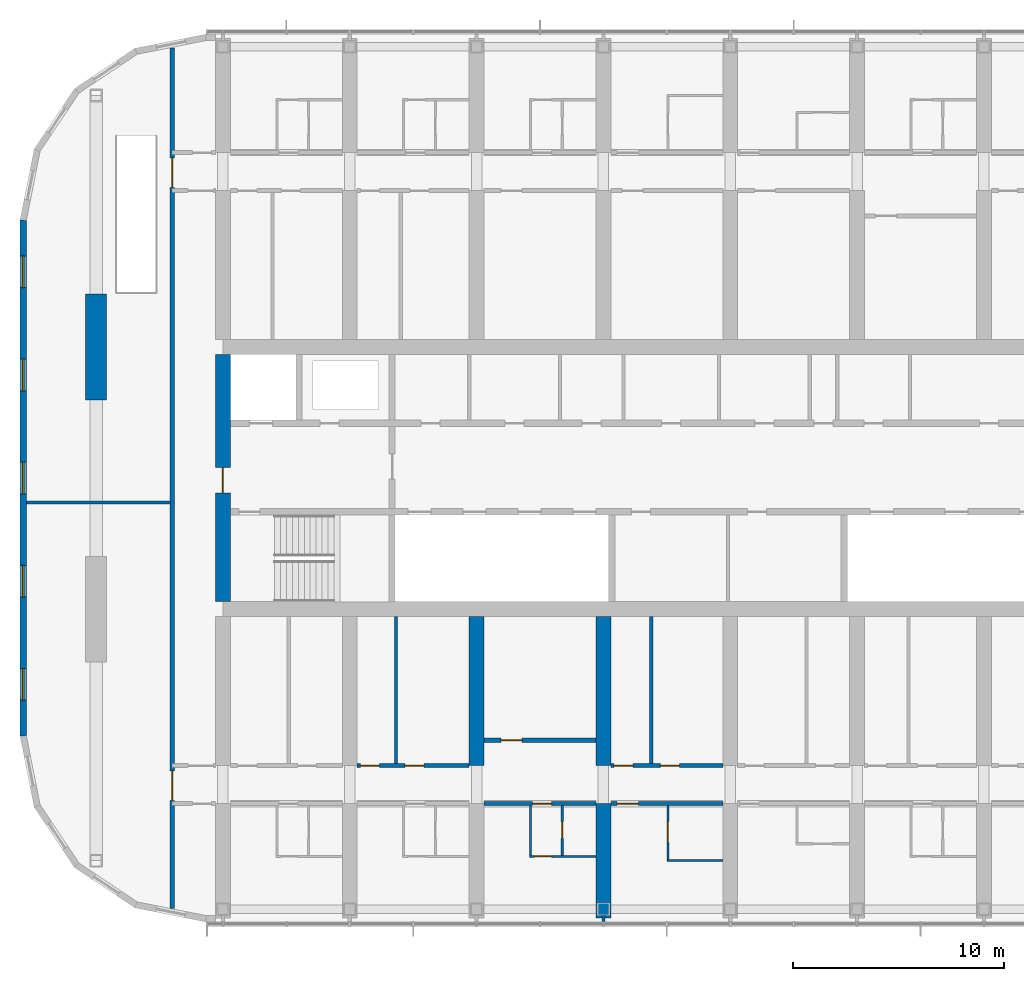
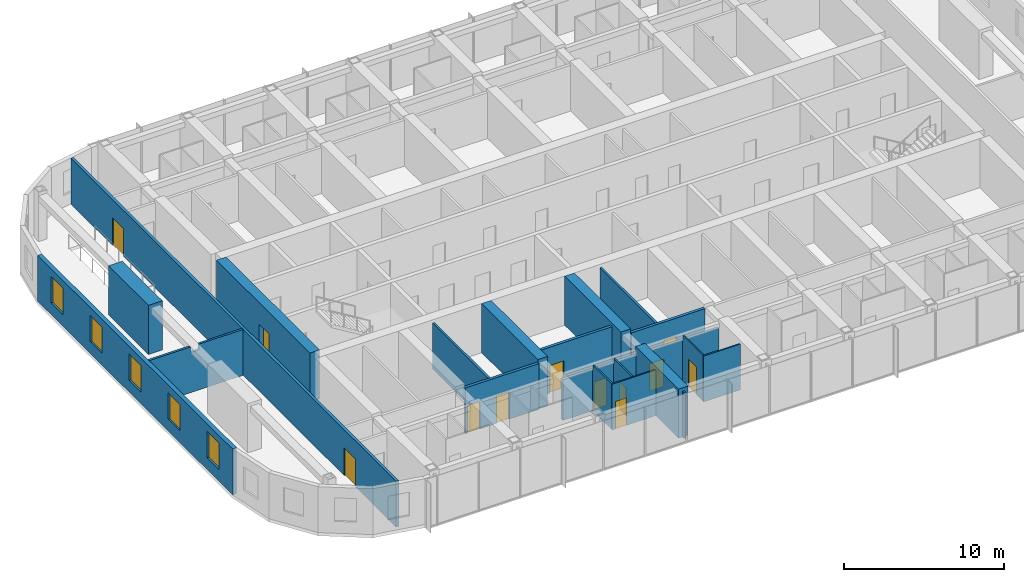
# One storey, part 11 of 23: 21 walls, 13 doors, 5 windows, 18 openings.
"""IFC4 building model written with IfcOpenShell, lengths in metres."""

import ifcopenshell
import ifcopenshell.guid

model = None  # the IFC model being written
_history = None  # IfcOwnerHistory: only IFC2X3 demands one
_inside = {}  # id of a spatial element -> (the spatial element, [elements in it])
_under = {}  # id of a project, library or spatial element -> (it, [spatial elements below it])
_declared = {}  # id of a project -> (the project, [libraries it declares])
_typed = {}  # id of a type object -> (the type object, [elements of that type])
_made_of = {}  # id of a material, layer set ... -> (it, [elements and type objects made of it])


def new_model(schema):
    """Start an empty IFC model of exactly this schema.

    Asked for "IFC4X3", IfcOpenShell would pick the latest addendum, in which some entities
    have other attributes; the version numbers below select the first issue.
    IFC2X3 requires an IfcOwnerHistory on every rooted entity: one is made here for all.
    """
    global model, _history
    if schema == "IFC4X3":
        model = ifcopenshell.file(schema_version=(4, 3, 0, 0))
    else:
        model = ifcopenshell.file(schema=schema)
    _inside.clear()
    _under.clear()
    _declared.clear()
    _typed.clear()
    _made_of.clear()
    _history = None
    if model.schema == "IFC2X3":
        org = make("IfcOrganization", Name="unknown")
        user = make(
            "IfcPersonAndOrganization",
            ThePerson=make("IfcPerson", FamilyName="unknown"),
            TheOrganization=org,
        )
        app = make(
            "IfcApplication",
            ApplicationDeveloper=org,
            Version="unknown",
            ApplicationFullName="unknown",
            ApplicationIdentifier="unknown",
        )
        _history = make(
            "IfcOwnerHistory",
            OwningUser=user,
            OwningApplication=app,
            ChangeAction="ADDED",
            CreationDate=0,
        )
    return model


def make(cls, **values):
    """One entity of the class cls with the attributes given. An attribute that is None is left unset."""
    return model.create_entity(
        cls, **{name: value for name, value in values.items() if value is not None}
    )


def rooted(cls, **values):
    """An entity with a GlobalId (a new one), such as an element, a storey or a relation."""
    return make(cls, GlobalId=ifcopenshell.guid.new(), OwnerHistory=_history, **values)


def si_unit(unit_type, name, prefix=None):
    """IfcSIUnit, for example si_unit("LENGTHUNIT", "METRE", prefix="MILLI")."""
    return make("IfcSIUnit", UnitType=unit_type, Prefix=prefix, Name=name)


def assignment(units):
    """IfcUnitAssignment: the units of a project."""
    return None if units is None else make("IfcUnitAssignment", Units=units)


def point(xyz):
    """IfcCartesianPoint."""
    return None if xyz is None else make("IfcCartesianPoint", Coordinates=xyz)


def direction(xyz):
    """IfcDirection."""
    return None if xyz is None else make("IfcDirection", DirectionRatios=xyz)


def frame(location, z_axis=None, x_axis=None):
    """IfcAxis2Placement3D, a coordinate frame: its origin and axes. An axis left out is left unset."""
    return make(
        "IfcAxis2Placement3D",
        Location=point(location),
        Axis=direction(z_axis),
        RefDirection=direction(x_axis),
    )


def frame_2d(location, x_axis=None):
    """IfcAxis2Placement2D, a coordinate frame in the plane: its origin and x axis."""
    return make(
        "IfcAxis2Placement2D", Location=point(location), RefDirection=direction(x_axis)
    )


def origin():
    """The frame at (0, 0, 0) with its axes left unset."""
    return frame((0.0, 0.0, 0.0))


def place(relative_to, where):
    """IfcLocalPlacement: puts the frame where relative to a parent placement (None: the world)."""
    return make(
        "IfcLocalPlacement", PlacementRelTo=relative_to, RelativePlacement=where
    )


def context(
    kind, dimensions, precision=None, world=None, true_north=None, identifier=None
):
    """IfcGeometricRepresentationContext, for example the 3D "Model" context."""
    return make(
        "IfcGeometricRepresentationContext",
        ContextIdentifier=identifier,
        ContextType=kind,
        CoordinateSpaceDimension=dimensions,
        Precision=precision,
        WorldCoordinateSystem=world,
        TrueNorth=true_north,
    )


def subcontext(parent, identifier, kind, view, scale=None):
    """IfcGeometricRepresentationSubContext, for example "Body" below "Model"."""
    return make(
        "IfcGeometricRepresentationSubContext",
        ContextIdentifier=identifier,
        ContextType=kind,
        ParentContext=parent,
        TargetScale=scale,
        TargetView=view,
    )


def project(units=None, contexts=None):
    """IfcProject with its units and contexts."""
    return rooted(
        "IfcProject",
        Name="project",
        RepresentationContexts=contexts,
        UnitsInContext=assignment(units),
    )


def spatial(cls, under=None, at=None, **own):
    """A site, building, storey or space (cls), placed at a placement, below another one or the project."""
    s = rooted(cls, ObjectPlacement=at, **own)
    if under is not None:
        _under.setdefault(under.id(), (under, []))[1].append(s)
    return s


def polyline(points):
    """IfcPolyline through the points."""
    return make("IfcPolyline", Points=[point(p) for p in points])


def profile(cls, at=None, kind="AREA", **sizes):
    """A parametric profile (cls). Its sizes go by their IFC names, for example OverallWidth=200.0."""
    return make(cls, ProfileType=kind, Position=at, **sizes)


def rectangle(**sizes):
    """IfcRectangleProfileDef."""
    return profile("IfcRectangleProfileDef", **sizes)


def outline(outer, holes=None, kind="AREA"):
    """IfcArbitraryClosedProfileDef: a profile drawn as a closed curve; with holes, ...WithVoids."""
    if holes is None:
        return make("IfcArbitraryClosedProfileDef", ProfileType=kind, OuterCurve=outer)
    return make(
        "IfcArbitraryProfileDefWithVoids",
        ProfileType=kind,
        OuterCurve=outer,
        InnerCurves=holes,
    )


def extrude(swept, where, along, depth):
    """IfcExtrudedAreaSolid: the profile swept, set in the frame where, extruded along a direction by depth."""
    return make(
        "IfcExtrudedAreaSolid",
        SweptArea=swept,
        Position=where,
        ExtrudedDirection=direction(along),
        Depth=depth,
    )


def shape(context_of_items, identifier, shape_type, items):
    """IfcShapeRepresentation: the items that make up one representation, for example the "Body"."""
    return make(
        "IfcShapeRepresentation",
        ContextOfItems=context_of_items,
        RepresentationIdentifier=identifier,
        RepresentationType=shape_type,
        Items=items,
    )


def material(Name=None, Category=None):
    """IfcMaterial."""
    return make("IfcMaterial", Name=Name, Category=Category)


def layer(
    of_material, thickness, ventilated=None, Name=None, Category=None, Priority=None
):
    """IfcMaterialLayer: one layer of a wall or slab, of a material (None: an air gap)."""
    return make(
        "IfcMaterialLayer",
        Material=of_material,
        LayerThickness=thickness,
        IsVentilated=ventilated,
        Name=Name,
        Category=Category,
        Priority=Priority,
    )


def layer_set(layers, Name=None):
    """IfcMaterialLayerSet."""
    return make("IfcMaterialLayerSet", MaterialLayers=layers, LayerSetName=Name)


def made_of(thing, what):
    """Note that an element or type object is made of a material, layer set ...; save() writes the relation."""
    if what is not None:
        _made_of.setdefault(what.id(), (what, []))[1].append(thing)
    return thing


def type_object(cls, material=None, **own):
    """A type object (cls), such as IfcWallType, which elements share."""
    return made_of(rooted(cls, **own), material)


def element(
    cls,
    number,
    at=None,
    inside=None,
    cuts=None,
    type_object=None,
    material=None,
    context=None,
    identifier="Body",
    shape_type=None,
    held_by="IfcProductDefinitionShape",
    body=None,
    shapes=None,
    **own,
):
    """One element of the class cls, such as IfcWall. Its Tag is "e" and its number.

    at: its placement. inside: the storey or other place that contains it. cuts: it is an
    opening in that element (IfcRelVoidsElement). A single representation is given by context,
    identifier, shape_type and body (its items); several are given by shapes. held_by: the class
    of the entity that holds the representations. save() writes the other relations.
    """
    e = rooted(cls, Tag="e%d" % number, ObjectPlacement=at, **own)
    if body is not None:
        shapes = [shape(context, identifier, shape_type, body)]
    if shapes is not None:
        e.Representation = make(held_by, Representations=shapes)
    if inside is not None:
        _inside.setdefault(inside.id(), (inside, []))[1].append(e)
    if cuts is not None:
        rooted(
            "IfcRelVoidsElement", RelatingBuildingElement=cuts, RelatedOpeningElement=e
        )
    if type_object is not None:
        _typed.setdefault(type_object.id(), (type_object, []))[1].append(e)
    return made_of(e, material)


def fill(opening, filler):
    """IfcRelFillsElement: the door or window that sits in an opening."""
    return rooted(
        "IfcRelFillsElement",
        RelatingOpeningElement=opening,
        RelatedBuildingElement=filler,
    )


def aggregate(whole, parts):
    """IfcRelAggregates: a whole, such as a stair, and the parts it consists of."""
    return rooted("IfcRelAggregates", RelatingObject=whole, RelatedObjects=parts)


def save(model, path):
    """Write the relations noted so far, then the file.

    IfcRelAggregates (storeys below a building ...), IfcRelContainedInSpatialStructure (elements
    in a storey), IfcRelDefinesByType, IfcRelAssociatesMaterial and IfcRelDeclares: one each for
    every whole, place, type object, material and project.
    """
    for whole, parts in _under.values():
        aggregate(whole, parts)
    for where, things in _inside.values():
        rooted(
            "IfcRelContainedInSpatialStructure",
            RelatedElements=things,
            RelatingStructure=where,
        )
    for kind, things in _typed.values():
        rooted("IfcRelDefinesByType", RelatedObjects=things, RelatingType=kind)
    for what, things in _made_of.values():
        rooted("IfcRelAssociatesMaterial", RelatedObjects=things, RelatingMaterial=what)
    for by, libraries in _declared.values():
        rooted("IfcRelDeclares", RelatingContext=by, RelatedDefinitions=libraries)
    model.write(path)


model = new_model("IFC4")

# Units and contexts
model_context = context("Model", 3, precision=1e-05, world=origin(), true_north=direction((0.0, 1.0)))
body_context = subcontext(model_context, "Body", "Model", "MODEL_VIEW")
ifc_project = project(units=[si_unit("LENGTHUNIT", "METRE"), si_unit("AREAUNIT", "SQUARE_METRE"), si_unit("VOLUMEUNIT", "CUBIC_METRE"), si_unit("PLANEANGLEUNIT", "RADIAN"), si_unit("MASSUNIT", "GRAM", prefix="KILO")], contexts=[model_context])

# Site, building, storey
site_placement = place(None, origin())
site = spatial("IfcSite", under=ifc_project, at=site_placement, CompositionType="ELEMENT")
building_placement = place(site_placement, origin())
building = spatial("IfcBuilding", under=site, at=building_placement, Name="Orbita Commons", CompositionType="ELEMENT")
storey_placement = place(building_placement, frame((0.0, 0.0, 250.300048828125)))
storey = spatial("IfcBuildingStorey", under=building, at=storey_placement, Name="L62", CompositionType="ELEMENT", Elevation=250.300048828125)

# Wall, opening, door
ifc_material_1 = material(Name="Concrete C50/60", Category="concrete")
ifc_layer_1 = layer(ifc_material_1, 0.699951171875)
ifc_layer_set_1 = layer_set([ifc_layer_1], Name="Concrete C50/60")
wall_type_1 = type_object("IfcWallType", Name="Core wall 700 C50/60", PredefinedType="SHEAR", material=ifc_layer_set_1)
wall_1_placement = place(storey_placement, frame((18.0, 26.14990234375, 0.0), z_axis=(0.0, 0.0, 1.0), x_axis=(0.0, 1.0, 0.0)))
wall_1 = element("IfcWall", 1, at=wall_1_placement, inside=storey, type_object=wall_type_1, Name="Core end wall west L62", PredefinedType="SHEAR", context=body_context, shape_type="SweptSolid", body=[
    extrude(rectangle(XDim=11.7001953125, YDim=0.699951171875, at=frame_2d((5.85009765625, 0.0))), origin(), (0.0, 0.0, 1.0), 3.75),
])
opening_1_placement = place(wall_1_placement, frame((5.14990234375, 0.0, 0.0)))
opening_1 = element("IfcOpeningElement", 2, at=opening_1_placement, cuts=wall_1, Name="Opening D01", PredefinedType="OPENING", context=body_context, shape_type="SweptSolid", body=[
    extrude(rectangle(XDim=1.199951171875, YDim=2.10009765625, at=frame_2d((0.60009765625, 1.050048828125))), frame((0.0, 0.35986328125, 0.0), z_axis=(0.0, -1.0, 0.0), x_axis=(1.0, 0.0, 0.0)), (0.0, 0.0, 1.0), 0.719970703125),
])
ifc_material_2 = material(Name="Steel-faced fire door leaf", Category="steel")
door_type_1 = type_object("IfcDoorType", Name="Fire door 90 min 1200x2100", OperationType="SINGLE_SWING_LEFT", PredefinedType="DOOR", material=ifc_material_2)
door_1_placement = place(opening_1_placement, origin())
door_1 = element("IfcDoor", 3, at=door_1_placement, inside=storey, type_object=door_type_1, Name="Firefighting lobby west door", OperationType="SINGLE_SWING_LEFT", OverallHeight=2.10009765625, OverallWidth=1.199951171875, PredefinedType="DOOR", context=body_context, shape_type="SweptSolid", body=[
    extrude(rectangle(XDim=1.199951171875, YDim=2.10009765625, at=frame_2d((0.60009765625, 1.050048828125))), frame((0.0, 0.02490234375, 0.0), z_axis=(0.0, -1.0, 0.0), x_axis=(1.0, 0.0, 0.0)), (0.0, 0.0, 1.0), 0.050048828125),
])
fill(opening_1, door_1)

ifc_material_3 = material(Name="Concrete blockwork", Category="masonry")
ifc_layer_2 = layer(ifc_material_3, 0.199951171875)
ifc_layer_set_2 = layer_set([ifc_layer_2], Name="Concrete blockwork")
wall_type_2 = type_object("IfcWallType", Name="Corridor wall 200 blockwork", PredefinedType="SOLIDWALL", material=ifc_layer_set_2)
wall_2_placement = place(storey_placement, frame((30.35009765625, 16.60009765625, 0.0), z_axis=(0.0, 0.0, 1.0), x_axis=(1.0, 0.0, 0.0)))
wall_2 = element("IfcWall", 4, at=wall_2_placement, inside=storey, type_object=wall_type_2, Name="Corridor wall 200 blockwork L62", PredefinedType="SOLIDWALL", context=body_context, shape_type="SweptSolid", body=[
    extrude(outline(polyline([(0.0, 0.0), (5.2998046875, 0.0), (5.300048828125, 3.099853515625), (0.0, 3.099853515625), (0.0, 0.0)])), frame((0.0, 0.10009765625, 0.0), z_axis=(0.0, -1.0, 0.0), x_axis=(1.0, 0.0, 0.0)), (0.0, 0.0, 1.0), 0.199951171875),
])
opening_2_placement = place(wall_2_placement, frame((2.300048828125, 0.0, 0.0)))
opening_2 = element("IfcOpeningElement", 5, at=opening_2_placement, cuts=wall_2, Name="Opening D11", PredefinedType="OPENING", context=body_context, shape_type="SweptSolid", body=[
    extrude(rectangle(XDim=0.89990234375, YDim=2.10009765625, at=frame_2d((0.449951171875, 1.050048828125))), frame((0.0, 0.10986328125, 0.0), z_axis=(0.0, -1.0, 0.0), x_axis=(1.0, 0.0, 0.0)), (0.0, 0.0, 1.0), 0.219970703125),
])
ifc_material_4 = material(Name="Steel-faced fire door leaf", Category="steel")
door_type_2 = type_object("IfcDoorType", Name="Corridor door 20 min 900x2100", OperationType="SINGLE_SWING_LEFT", PredefinedType="DOOR", material=ifc_material_4)
door_2_placement = place(opening_2_placement, origin())
door_2 = element("IfcDoor", 6, at=door_2_placement, inside=storey, type_object=door_type_2, Name="Studio flat L62-S04 entrance door", OperationType="SINGLE_SWING_LEFT", OverallHeight=2.10009765625, OverallWidth=0.89990234375, PredefinedType="DOOR", context=body_context, shape_type="SweptSolid", body=[
    extrude(rectangle(XDim=0.89990234375, YDim=2.10009765625, at=frame_2d((0.449951171875, 1.050048828125))), frame((0.0, 0.02490234375, 0.0), z_axis=(0.0, -1.0, 0.0), x_axis=(1.0, 0.0, 0.0)), (0.0, 0.0, 1.0), 0.050048828125),
])
fill(opening_2, door_2)

wall_3_placement = place(storey_placement, frame((36.35009765625, 16.60009765625, 0.0), z_axis=(0.0, 0.0, 1.0), x_axis=(1.0, 0.0, 0.0)))
wall_3 = element("IfcWall", 7, at=wall_3_placement, inside=storey, type_object=wall_type_2, Name="Corridor wall 200 blockwork L62", PredefinedType="SOLIDWALL", context=body_context, shape_type="SweptSolid", body=[
    extrude(outline(polyline([(0.0, 0.0), (5.2998046875, 0.0), (5.300048828125, 3.099853515625), (0.0, 3.099853515625), (0.0, 0.0)])), frame((0.0, 0.10009765625, 0.0), z_axis=(0.0, -1.0, 0.0), x_axis=(1.0, 0.0, 0.0)), (0.0, 0.0, 1.0), 0.199951171875),
])
opening_3_placement = place(wall_3_placement, frame((0.300048828125, 0.0, 0.0)))
opening_3 = element("IfcOpeningElement", 8, at=opening_3_placement, cuts=wall_3, Name="Opening D06", PredefinedType="OPENING", context=body_context, shape_type="SweptSolid", body=[
    extrude(rectangle(XDim=1.0, YDim=2.10009765625, at=frame_2d((0.5, 1.050048828125))), frame((0.0, 0.10986328125, 0.0), z_axis=(0.0, -1.0, 0.0), x_axis=(1.0, 0.0, 0.0)), (0.0, 0.0, 1.0), 0.219970703125),
])
ifc_material_5 = material(Name="Steel-faced fire door leaf", Category="steel")
door_type_3 = type_object("IfcDoorType", Name="Corridor door 20 min 1000x2100", OperationType="SINGLE_SWING_LEFT", PredefinedType="DOOR", material=ifc_material_5)
door_3_placement = place(opening_3_placement, origin())
door_3 = element("IfcDoor", 9, at=door_3_placement, inside=storey, type_object=door_type_3, Name="Accessible bedroom L62-S06 door", OperationType="SINGLE_SWING_LEFT", OverallHeight=2.10009765625, OverallWidth=1.0, PredefinedType="DOOR", context=body_context, shape_type="SweptSolid", body=[
    extrude(rectangle(XDim=1.0, YDim=2.10009765625, at=frame_2d((0.5, 1.050048828125))), frame((0.0, 0.02490234375, 0.0), z_axis=(0.0, -1.0, 0.0), x_axis=(1.0, 0.0, 0.0)), (0.0, 0.0, 1.0), 0.050048828125),
])
fill(opening_3, door_3)

# Wall, openings, doors
wall_4_placement = place(storey_placement, frame((15.60009765625, 11.646240234375, 0.0), z_axis=(0.0, 0.0, 1.0), x_axis=(0.0, 1.0, 0.0)))
wall_4 = element("IfcWall", 10, at=wall_4_placement, inside=storey, type_object=wall_type_2, Name="Corridor wall 200 blockwork L62", PredefinedType="SOLIDWALL", context=body_context, shape_type="SweptSolid", body=[
    extrude(rectangle(XDim=40.70751953125, YDim=0.199951171875, at=frame_2d((20.353759765625, 0.0))), origin(), (0.0, 0.0, 1.0), 3.5),
])
opening_4_placement = place(wall_4_placement, frame((5.103759765625, 0.0, 0.0)))
opening_4 = element("IfcOpeningElement", 11, at=opening_4_placement, cuts=wall_4, Name="Opening D08", PredefinedType="OPENING", context=body_context, shape_type="SweptSolid", body=[
    extrude(rectangle(XDim=1.39990234375, YDim=2.10009765625, at=frame_2d((0.699951171875, 1.050048828125))), frame((0.0, 0.10986328125, 0.0), z_axis=(0.0, -1.0, 0.0), x_axis=(1.0, 0.0, 0.0)), (0.0, 0.0, 1.0), 0.219970703125),
])
opening_5_placement = place(wall_4_placement, frame((34.103759765625, 0.0, 0.0)))
opening_5 = element("IfcOpeningElement", 12, at=opening_5_placement, cuts=wall_4, Name="Opening D08", PredefinedType="OPENING", context=body_context, shape_type="SweptSolid", body=[
    extrude(rectangle(XDim=1.39990234375, YDim=2.10009765625, at=frame_2d((0.699951171875, 1.050048828125))), frame((0.0, 0.10986328125, 0.0), z_axis=(0.0, -1.0, 0.0), x_axis=(1.0, 0.0, 0.0)), (0.0, 0.0, 1.0), 0.219970703125),
])
ifc_material_6 = material(Name="Steel-faced fire door leaf", Category="steel")
door_type_4 = type_object("IfcDoorType", Name="Double corridor door 20 min 1400x2100", OperationType="DOUBLE_DOOR_SINGLE_SWING", PredefinedType="DOOR", material=ifc_material_6)
door_4_placement = place(opening_4_placement, origin())
door_4 = element("IfcDoor", 13, at=door_4_placement, inside=storey, type_object=door_type_4, Name="Lounge doors", OperationType="DOUBLE_DOOR_SINGLE_SWING", OverallHeight=2.10009765625, OverallWidth=1.39990234375, PredefinedType="DOOR", context=body_context, shape_type="SweptSolid", body=[
    extrude(rectangle(XDim=1.39990234375, YDim=2.10009765625, at=frame_2d((0.699951171875, 1.050048828125))), frame((0.0, 0.02490234375, 0.0), z_axis=(0.0, -1.0, 0.0), x_axis=(1.0, 0.0, 0.0)), (0.0, 0.0, 1.0), 0.050048828125),
])
fill(opening_4, door_4)
door_5_placement = place(opening_5_placement, origin())
door_5 = element("IfcDoor", 14, at=door_5_placement, inside=storey, type_object=door_type_4, Name="Lounge doors", OperationType="DOUBLE_DOOR_SINGLE_SWING", OverallHeight=2.10009765625, OverallWidth=1.39990234375, PredefinedType="DOOR", context=body_context, shape_type="SweptSolid", body=[
    extrude(rectangle(XDim=1.39990234375, YDim=2.10009765625, at=frame_2d((0.699951171875, 1.050048828125))), frame((0.0, 0.02490234375, 0.0), z_axis=(0.0, -1.0, 0.0), x_axis=(1.0, 0.0, 0.0)), (0.0, 0.0, 1.0), 0.050048828125),
])
fill(opening_5, door_5)

ifc_material_7 = material(Name="Hollow concrete block 200", Category="concrete")
ifc_layer_3 = layer(ifc_material_7, 0.199951171875)
ifc_layer_set_3 = layer_set([ifc_layer_3], Name="Hollow concrete block 200")
wall_type_3 = type_object("IfcWallType", Name="Corridor wall 200 hollow concrete block", PredefinedType="SOLIDWALL", material=ifc_layer_set_3)
wall_5_placement = place(storey_placement, frame((24.35009765625, 18.39990234375, 0.0), z_axis=(0.0, 0.0, 1.0), x_axis=(1.0, 0.0, 0.0)))
wall_5 = element("IfcWall", 15, at=wall_5_placement, inside=storey, type_object=wall_type_3, Name="Corridor wall 200 hollow concrete block L62", PredefinedType="SOLIDWALL", context=body_context, shape_type="SweptSolid", body=[
    extrude(rectangle(XDim=5.2998046875, YDim=0.199951171875, at=frame_2d((2.64990234375, 0.0))), origin(), (0.0, 0.0, 1.0), 3.5),
])
opening_6_placement = place(wall_5_placement, frame((0.14990234375, 0.0, 0.0)))
opening_6 = element("IfcOpeningElement", 16, at=opening_6_placement, cuts=wall_5, Name="Opening D11", PredefinedType="OPENING", context=body_context, shape_type="SweptSolid", body=[
    extrude(rectangle(XDim=0.89990234375, YDim=2.10009765625, at=frame_2d((0.449951171875, 1.050048828125))), frame((0.0, 0.10986328125, 0.0), z_axis=(0.0, -1.0, 0.0), x_axis=(1.0, 0.0, 0.0)), (0.0, 0.0, 1.0), 0.219970703125),
])
opening_7_placement = place(wall_5_placement, frame((2.260009765625, 0.0, 0.0)))
opening_7 = element("IfcOpeningElement", 17, at=opening_7_placement, cuts=wall_5, Name="Opening D11", PredefinedType="OPENING", context=body_context, shape_type="SweptSolid", body=[
    extrude(rectangle(XDim=0.89990234375, YDim=2.10009765625, at=frame_2d((0.449951171875, 1.050048828125))), frame((0.0, 0.10986328125, 0.0), z_axis=(0.0, -1.0, 0.0), x_axis=(1.0, 0.0, 0.0)), (0.0, 0.0, 1.0), 0.219970703125),
])
door_6_placement = place(opening_6_placement, origin())
door_6 = element("IfcDoor", 18, at=door_6_placement, inside=storey, type_object=door_type_2, Name="Luggage store L62-BDS24n door", OperationType="SINGLE_SWING_LEFT", OverallHeight=2.10009765625, OverallWidth=0.89990234375, PredefinedType="DOOR", context=body_context, shape_type="SweptSolid", body=[
    extrude(rectangle(XDim=0.89990234375, YDim=2.10009765625, at=frame_2d((0.449951171875, 1.050048828125))), frame((0.0, 0.02490234375, 0.0), z_axis=(0.0, -1.0, 0.0), x_axis=(1.0, 0.0, 0.0)), (0.0, 0.0, 1.0), 0.050048828125),
])
fill(opening_6, door_6)
door_7_placement = place(opening_7_placement, origin())
door_7 = element("IfcDoor", 19, at=door_7_placement, inside=storey, type_object=door_type_2, Name="Board room L62-BDS24 door", OperationType="SINGLE_SWING_LEFT", OverallHeight=2.10009765625, OverallWidth=0.89990234375, PredefinedType="DOOR", context=body_context, shape_type="SweptSolid", body=[
    extrude(rectangle(XDim=0.89990234375, YDim=2.10009765625, at=frame_2d((0.449951171875, 1.050048828125))), frame((0.0, 0.02490234375, 0.0), z_axis=(0.0, -1.0, 0.0), x_axis=(1.0, 0.0, 0.0)), (0.0, 0.0, 1.0), 0.050048828125),
])
fill(opening_7, door_7)

wall_6_placement = place(storey_placement, frame((36.35009765625, 18.39990234375, 0.0), z_axis=(0.0, 0.0, 1.0), x_axis=(1.0, 0.0, 0.0)))
wall_6 = element("IfcWall", 20, at=wall_6_placement, inside=storey, type_object=wall_type_3, Name="Corridor wall 200 hollow concrete block L62", PredefinedType="SOLIDWALL", context=body_context, shape_type="SweptSolid", body=[
    extrude(rectangle(XDim=5.2998046875, YDim=0.199951171875, at=frame_2d((2.64990234375, 0.0))), origin(), (0.0, 0.0, 1.0), 3.5),
])
opening_8_placement = place(wall_6_placement, frame((0.14990234375, 0.0, 0.0)))
opening_8 = element("IfcOpeningElement", 21, at=opening_8_placement, cuts=wall_6, Name="Opening D11", PredefinedType="OPENING", context=body_context, shape_type="SweptSolid", body=[
    extrude(rectangle(XDim=0.89990234375, YDim=2.10009765625, at=frame_2d((0.449951171875, 1.050048828125))), frame((0.0, 0.10986328125, 0.0), z_axis=(0.0, -1.0, 0.0), x_axis=(1.0, 0.0, 0.0)), (0.0, 0.0, 1.0), 0.219970703125),
])
opening_9_placement = place(wall_6_placement, frame((2.340087890625, 0.0, 0.0)))
opening_9 = element("IfcOpeningElement", 22, at=opening_9_placement, cuts=wall_6, Name="Opening D11", PredefinedType="OPENING", context=body_context, shape_type="SweptSolid", body=[
    extrude(rectangle(XDim=0.89990234375, YDim=2.10009765625, at=frame_2d((0.449951171875, 1.050048828125))), frame((0.0, 0.10986328125, 0.0), z_axis=(0.0, -1.0, 0.0), x_axis=(1.0, 0.0, 0.0)), (0.0, 0.0, 1.0), 0.219970703125),
])
door_8_placement = place(opening_8_placement, origin())
door_8 = element("IfcDoor", 23, at=door_8_placement, inside=storey, type_object=door_type_2, Name="Battery and UPS room L62-BDS36n door", OperationType="SINGLE_SWING_LEFT", OverallHeight=2.10009765625, OverallWidth=0.89990234375, PredefinedType="DOOR", context=body_context, shape_type="SweptSolid", body=[
    extrude(rectangle(XDim=0.89990234375, YDim=2.10009765625, at=frame_2d((0.449951171875, 1.050048828125))), frame((0.0, 0.02490234375, 0.0), z_axis=(0.0, -1.0, 0.0), x_axis=(1.0, 0.0, 0.0)), (0.0, 0.0, 1.0), 0.050048828125),
])
fill(opening_8, door_8)
door_9_placement = place(opening_9_placement, origin())
door_9 = element("IfcDoor", 24, at=door_9_placement, inside=storey, type_object=door_type_2, Name="Interview room L62-BDS36 door", OperationType="SINGLE_SWING_LEFT", OverallHeight=2.10009765625, OverallWidth=0.89990234375, PredefinedType="DOOR", context=body_context, shape_type="SweptSolid", body=[
    extrude(rectangle(XDim=0.89990234375, YDim=2.10009765625, at=frame_2d((0.449951171875, 1.050048828125))), frame((0.0, 0.02490234375, 0.0), z_axis=(0.0, -1.0, 0.0), x_axis=(1.0, 0.0, 0.0)), (0.0, 0.0, 1.0), 0.050048828125),
])
fill(opening_9, door_9)

# Wall, opening, door
wall_7_placement = place(storey_placement, frame((30.35009765625, 19.60009765625, 0.0), z_axis=(0.0, 0.0, 1.0), x_axis=(1.0, 0.0, 0.0)))
wall_7 = element("IfcWall", 25, at=wall_7_placement, inside=storey, type_object=wall_type_3, Name="Corridor wall 200 hollow concrete block L62", PredefinedType="SOLIDWALL", context=body_context, shape_type="SweptSolid", body=[
    extrude(rectangle(XDim=5.2998046875, YDim=0.199951171875, at=frame_2d((2.64990234375, 0.0))), origin(), (0.0, 0.0, 1.0), 3.5),
])
opening_10_placement = place(wall_7_placement, frame((0.800048828125, 0.0, 0.0)))
opening_10 = element("IfcOpeningElement", 26, at=opening_10_placement, cuts=wall_7, Name="Opening D06", PredefinedType="OPENING", context=body_context, shape_type="SweptSolid", body=[
    extrude(rectangle(XDim=1.0, YDim=2.10009765625, at=frame_2d((0.5, 1.050048828125))), frame((0.0, 0.10986328125, 0.0), z_axis=(0.0, -1.0, 0.0), x_axis=(1.0, 0.0, 0.0)), (0.0, 0.0, 1.0), 0.219970703125),
])
door_10_placement = place(opening_10_placement, origin())
door_10 = element("IfcDoor", 27, at=door_10_placement, inside=storey, type_object=door_type_3, Name="Bulk storage room L62-BDS30 door", OperationType="SINGLE_SWING_LEFT", OverallHeight=2.10009765625, OverallWidth=1.0, PredefinedType="DOOR", context=body_context, shape_type="SweptSolid", body=[
    extrude(rectangle(XDim=1.0, YDim=2.10009765625, at=frame_2d((0.5, 1.050048828125))), frame((0.0, 0.02490234375, 0.0), z_axis=(0.0, -1.0, 0.0), x_axis=(1.0, 0.0, 0.0)), (0.0, 0.0, 1.0), 0.050048828125),
])
fill(opening_10, door_10)

# Walls
ifc_material_8 = material(Name="Concrete C50/60", Category="concrete")
ifc_layer_4 = layer(ifc_material_8, 0.699951171875)
ifc_layer_set_4 = layer_set([ifc_layer_4], Name="Concrete C50/60")
wall_type_4 = type_object("IfcWallType", Name="Cross wall 700 C50/60", PredefinedType="SHEAR", material=ifc_layer_set_4)
wall_8_placement = place(storey_placement, frame((30.0, 18.39990234375, 0.0), z_axis=(0.0, 0.0, 1.0), x_axis=(0.0, 1.0, 0.0)))
element("IfcWall", 28, at=wall_8_placement, inside=storey, type_object=wall_type_4, Name="Cross wall 6 south inner L62", PredefinedType="SHEAR", context=body_context, shape_type="SweptSolid", body=[
    extrude(rectangle(XDim=7.050048828125, YDim=0.699951171875, at=frame_2d((3.52490234375, 0.0))), origin(), (0.0, 0.0, 1.0), 3.75),
])
wall_9_placement = place(storey_placement, frame((36.0, 11.199951171875, 0.0), z_axis=(0.0, 0.0, 1.0), x_axis=(0.0, 1.0, 0.0)))
element("IfcWall", 29, at=wall_9_placement, inside=storey, type_object=wall_type_4, Name="Cross wall 7 south outer L62", PredefinedType="SHEAR", context=body_context, shape_type="SweptSolid", body=[
    extrude(rectangle(XDim=5.400146484375, YDim=0.699951171875, at=frame_2d((2.7001953125, 0.0))), origin(), (0.0, 0.0, 1.0), 3.75),
])
wall_10_placement = place(storey_placement, frame((36.0, 18.39990234375, 0.0), z_axis=(0.0, 0.0, 1.0), x_axis=(0.0, 1.0, 0.0)))
element("IfcWall", 30, at=wall_10_placement, inside=storey, type_object=wall_type_4, Name="Cross wall 7 south inner L62", PredefinedType="SHEAR", context=body_context, shape_type="SweptSolid", body=[
    extrude(rectangle(XDim=7.050048828125, YDim=0.699951171875, at=frame_2d((3.52490234375, 0.0))), origin(), (0.0, 0.0, 1.0), 3.75),
])

# Wall, opening, door
ifc_material_9 = material(Name="Moisture-resistant plasterboard on steel studs", Category="steel")
ifc_layer_5 = layer(ifc_material_9, 0.10009765625)
ifc_layer_set_5 = layer_set([ifc_layer_5], Name="Moisture-resistant plasterboard on steel studs")
wall_type_5 = type_object("IfcWallType", Name="En-suite partition 100", PredefinedType="PARTITIONING", material=ifc_layer_set_5)
wall_11_placement = place(storey_placement, frame((35.64990234375, 14.10009765625, 0.0), z_axis=(0.0, 0.0, 1.0), x_axis=(-1.0, 0.0, 0.0)))
wall_11 = element("IfcWall", 31, at=wall_11_placement, inside=storey, type_object=wall_type_5, Name="En-suite partition 100 L62", PredefinedType="PARTITIONING", context=body_context, shape_type="SweptSolid", body=[
    extrude(rectangle(XDim=3.14990234375, YDim=0.10009765625, at=frame_2d((1.574951171875, 0.0))), origin(), (0.0, 0.0, 1.0), 3.5),
])
opening_11_placement = place(wall_11_placement, frame((2.10009765625, 0.0, 0.0)))
opening_11 = element("IfcOpeningElement", 32, at=opening_11_placement, cuts=wall_11, Name="Opening D16", PredefinedType="OPENING", context=body_context, shape_type="SweptSolid", body=[
    extrude(rectangle(XDim=0.800048828125, YDim=2.10009765625, at=frame_2d((0.39990234375, 1.050048828125))), frame((0.0, 0.06005859375, 0.0), z_axis=(0.0, -1.0, 0.0), x_axis=(1.0, 0.0, 0.0)), (0.0, 0.0, 1.0), 0.1201171875),
])
ifc_material_10 = material(Name="Laminated timber door leaf", Category="wood")
door_type_5 = type_object("IfcDoorType", Name="En-suite door 800x2100", OperationType="SINGLE_SWING_RIGHT", PredefinedType="DOOR", material=ifc_material_10)
door_11_placement = place(opening_11_placement, origin())
door_11 = element("IfcDoor", 33, at=door_11_placement, inside=storey, type_object=door_type_5, Name="Studio flat L62-S04 door", OperationType="SINGLE_SWING_RIGHT", OverallHeight=2.10009765625, OverallWidth=0.800048828125, PredefinedType="DOOR", context=body_context, shape_type="SweptSolid", body=[
    extrude(rectangle(XDim=0.800048828125, YDim=2.10009765625, at=frame_2d((0.39990234375, 1.050048828125))), frame((0.0, 0.02490234375, 0.0), z_axis=(0.0, -1.0, 0.0), x_axis=(1.0, 0.0, 0.0)), (0.0, 0.0, 1.0), 0.050048828125),
])
fill(opening_11, door_11)

# Wall
wall_12_placement = place(storey_placement, frame((32.550048828125, 14.14990234375, 0.0), z_axis=(0.0, 0.0, 1.0), x_axis=(0.0, 1.0, 0.0)))
element("IfcWall", 34, at=wall_12_placement, inside=storey, type_object=wall_type_5, Name="En-suite partition 100 L62", PredefinedType="PARTITIONING", context=body_context, shape_type="SweptSolid", body=[
    extrude(outline(polyline([(0.0, 0.0), (2.35009765625, 0.0), (2.35009765625, 3.099853515625), (2.302001953125, 3.099853515625), (2.300048828125, 3.5), (0.0, 3.5), (0.0, 0.0)])), frame((0.0, 0.050048828125, 0.0), z_axis=(0.0, -1.0, 0.0), x_axis=(1.0, 0.0, 0.0)), (0.0, 0.0, 1.0), 0.10009765625),
])

# Wall, opening, door
wall_13_placement = place(storey_placement, frame((34.050048828125, 14.14990234375, 0.0), z_axis=(0.0, 0.0, 1.0), x_axis=(0.0, 1.0, 0.0)))
wall_13 = element("IfcWall", 35, at=wall_13_placement, inside=storey, type_object=wall_type_5, Name="En-suite partition 100 L62", PredefinedType="PARTITIONING", context=body_context, shape_type="SweptSolid", body=[
    extrude(outline(polyline([(0.0, 0.0), (2.35009765625, 0.0), (2.35009765625, 3.099853515625), (2.302001953125, 3.099853515625), (2.300048828125, 3.5), (0.0, 3.5), (0.0, 0.0)])), frame((0.0, 0.050048828125, 0.0), z_axis=(0.0, -1.0, 0.0), x_axis=(1.0, 0.0, 0.0)), (0.0, 0.0, 1.0), 0.10009765625),
])
opening_12_placement = place(wall_13_placement, frame((0.800048828125, 0.0, 0.0)))
opening_12 = element("IfcOpeningElement", 36, at=opening_12_placement, cuts=wall_13, Name="Opening D16", PredefinedType="OPENING", context=body_context, shape_type="SweptSolid", body=[
    extrude(rectangle(XDim=0.800048828125, YDim=2.10009765625, at=frame_2d((0.39990234375, 1.050048828125))), frame((0.0, 0.06005859375, 0.0), z_axis=(0.0, -1.0, 0.0), x_axis=(1.0, 0.0, 0.0)), (0.0, 0.0, 1.0), 0.1201171875),
])
door_12_placement = place(opening_12_placement, origin())
door_12 = element("IfcDoor", 37, at=door_12_placement, inside=storey, type_object=door_type_5, Name="Studio flat shower room L62-S04 door", OperationType="SINGLE_SWING_RIGHT", OverallHeight=2.10009765625, OverallWidth=0.800048828125, PredefinedType="DOOR", context=body_context, shape_type="SweptSolid", body=[
    extrude(rectangle(XDim=0.800048828125, YDim=2.10009765625, at=frame_2d((0.39990234375, 1.050048828125))), frame((0.0, 0.02490234375, 0.0), z_axis=(0.0, -1.0, 0.0), x_axis=(1.0, 0.0, 0.0)), (0.0, 0.0, 1.0), 0.050048828125),
])
fill(opening_12, door_12)

# Wall
wall_14_placement = place(storey_placement, frame((39.0, 13.89990234375, 0.0), z_axis=(0.0, 0.0, 1.0), x_axis=(1.0, 0.0, 0.0)))
element("IfcWall", 38, at=wall_14_placement, inside=storey, type_object=wall_type_5, Name="En-suite partition 100 L62", PredefinedType="PARTITIONING", context=body_context, shape_type="SweptSolid", body=[
    extrude(rectangle(XDim=2.64990234375, YDim=0.10009765625, at=frame_2d((1.324951171875, 0.0))), origin(), (0.0, 0.0, 1.0), 3.5),
])

# Wall, opening, door
wall_15_placement = place(storey_placement, frame((39.050048828125, 13.949951171875, 0.0), z_axis=(0.0, 0.0, 1.0), x_axis=(0.0, 1.0, 0.0)))
wall_15 = element("IfcWall", 39, at=wall_15_placement, inside=storey, type_object=wall_type_5, Name="En-suite partition 100 L62", PredefinedType="PARTITIONING", context=body_context, shape_type="SweptSolid", body=[
    extrude(outline(polyline([(0.0, 0.0), (2.550048828125, 0.0), (2.550048828125, 3.099853515625), (2.501953125, 3.099853515625), (2.5, 3.5), (0.0, 3.5), (0.0, 0.0)])), frame((0.0, 0.050048828125, 0.0), z_axis=(0.0, -1.0, 0.0), x_axis=(1.0, 0.0, 0.0)), (0.0, 0.0, 1.0), 0.10009765625),
])
opening_13_placement = place(wall_15_placement, frame((0.800048828125, 0.0, 0.0)))
opening_13 = element("IfcOpeningElement", 40, at=opening_13_placement, cuts=wall_15, Name="Opening D13", PredefinedType="OPENING", context=body_context, shape_type="SweptSolid", body=[
    extrude(rectangle(XDim=1.0, YDim=2.10009765625, at=frame_2d((0.5, 1.050048828125))), frame((0.0, 0.06005859375, 0.0), z_axis=(0.0, -1.0, 0.0), x_axis=(1.0, 0.0, 0.0)), (0.0, 0.0, 1.0), 0.1201171875),
])
ifc_material_11 = material(Name="Laminated timber door leaf", Category="wood")
door_type_6 = type_object("IfcDoorType", Name="En-suite door 1000x2100", OperationType="SINGLE_SWING_RIGHT", PredefinedType="DOOR", material=ifc_material_11)
door_13_placement = place(opening_13_placement, origin())
door_13 = element("IfcDoor", 41, at=door_13_placement, inside=storey, type_object=door_type_6, Name="Accessible shower room L62-S06 door", OperationType="SINGLE_SWING_RIGHT", OverallHeight=2.10009765625, OverallWidth=1.0, PredefinedType="DOOR", context=body_context, shape_type="SweptSolid", body=[
    extrude(rectangle(XDim=1.0, YDim=2.10009765625, at=frame_2d((0.5, 1.050048828125))), frame((0.0, 0.02490234375, 0.0), z_axis=(0.0, -1.0, 0.0), x_axis=(1.0, 0.0, 0.0)), (0.0, 0.0, 1.0), 0.050048828125),
])
fill(opening_13, door_13)

# Walls
ifc_material_12 = material(Name="Concrete C50/60", Category="concrete")
ifc_layer_6 = layer(ifc_material_12, 1.0)
ifc_layer_set_6 = layer_set([ifc_layer_6], Name="Concrete C50/60")
wall_type_6 = type_object("IfcWallType", Name="End pier 1000x5000 C50/60", PredefinedType="SHEAR", material=ifc_layer_set_6)
wall_16_placement = place(storey_placement, frame((12.0, 35.699951171875, 0.0), z_axis=(0.0, 0.0, 1.0), x_axis=(0.0, 1.0, 0.0)))
element("IfcWall", 42, at=wall_16_placement, inside=storey, type_object=wall_type_6, Name="End pier 3/D L62", PredefinedType="SHEAR", context=body_context, shape_type="SweptSolid", body=[
    extrude(rectangle(XDim=5.0, YDim=1.0, at=frame_2d((2.5, 0.0))), origin(), (0.0, 0.0, 1.0), 3.75),
])
ifc_material_13 = material(Name="Gypsum plasterboard on steel studs", Category="steel")
ifc_layer_7 = layer(ifc_material_13, 0.14990234375)
ifc_layer_set_7 = layer_set([ifc_layer_7], Name="Gypsum plasterboard on steel studs")
wall_type_7 = type_object("IfcWallType", Name="Partition 150 plasterboard", PredefinedType="PARTITIONING", material=ifc_layer_set_7)
for number, where, z_axis, x_axis, name in (
    (43, (26.18505859375, 18.5, 0.0), (0.0, 0.0, 1.0), (0.0, 1.0, 0.0), "Partition 150 plasterboard L62"),
    (44, (38.264892578125, 18.5, 0.0), (0.0, 0.0, 1.0), (0.0, 1.0, 0.0), "Partition 150 plasterboard L62"),
):
    element("IfcWall", number, at=place(storey_placement, frame(where, z_axis=z_axis, x_axis=x_axis)), inside=storey, type_object=wall_type_7, Name=name, PredefinedType="PARTITIONING", context=body_context, shape_type="SweptSolid", body=[
        extrude(rectangle(XDim=6.949951171875, YDim=0.14990234375, at=frame_2d((3.47509765625, 0.0))), origin(), (0.0, 0.0, 1.0), 3.5),
    ])
wall_17_placement = place(storey_placement, frame((8.705078125, 30.85009765625, 0.0), z_axis=(0.0, 0.0, 1.0), x_axis=(1.0, 0.0, 0.0)))
element("IfcWall", 45, at=wall_17_placement, inside=storey, type_object=wall_type_7, Name="Partition 150 plasterboard L62", PredefinedType="PARTITIONING", context=body_context, shape_type="SweptSolid", body=[
    extrude(outline(polyline([(0.0, 0.0), (6.81982421875, 0.0), (6.820068359375, 3.5), (3.596923828125, 3.5), (3.594970703125, 3.050048828125), (2.9970703125, 3.050048828125), (2.9951171875, 3.5), (0.0, 3.5), (0.0, 0.0)])), frame((0.0, 0.074951171875, 0.0), z_axis=(0.0, -1.0, 0.0), x_axis=(1.0, 0.0, 0.0)), (0.0, 0.0, 1.0), 0.14990234375),
])
wall_18_placement = place(storey_placement, frame((36.0, 11.300048828125, 0.0), z_axis=(0.0, 0.0, 1.0), x_axis=(0.0, -1.0, 0.0)))
element("IfcWall", 46, at=wall_18_placement, inside=storey, type_object=wall_type_7, Name="Partition 150 plasterboard L62", PredefinedType="PARTITIONING", context=body_context, shape_type="SweptSolid", body=[
    extrude(rectangle(XDim=0.2900390625, YDim=0.14990234375, at=frame_2d((0.14501953125, 0.0))), origin(), (0.0, 0.0, 1.0), 3.5),
])

# Wall, openings, windows
ifc_material_14 = material(Name="Precast concrete C40/50, white board-marked finish", Category="concrete")
ifc_layer_8 = layer(ifc_material_14, 0.300048828125)
ifc_layer_set_8 = layer_set([ifc_layer_8], Name="Precast concrete C40/50, white board-marked finish")
wall_type_8 = type_object("IfcWallType", Name="Precast concrete end shield 300", PredefinedType="SOLIDWALL", material=ifc_layer_set_8)
wall_19_placement = place(storey_placement, frame((8.550048828125, 44.199951171875, 0.0), z_axis=(0.0, 0.0, 1.0), x_axis=(0.0, -1.0, 0.0)))
wall_19 = element("IfcWall", 47, at=wall_19_placement, inside=storey, type_object=wall_type_8, Name="End shield W L62", PredefinedType="SOLIDWALL", context=body_context, shape_type="SweptSolid", body=[
    extrude(outline(polyline([(-0.014892578125, -0.14990234375), (24.414794921875, -0.14990234375), (24.385009765625, 0.14990234375), (0.014892578125, 0.14990234375), (-0.014892578125, -0.14990234375)])), origin(), (0.0, 0.0, 1.0), 3.5),
])
opening_14_placement = place(wall_19_placement, frame((1.68994140625, 0.0, 0.89990234375)))
opening_14 = element("IfcOpeningElement", 48, at=opening_14_placement, cuts=wall_19, Name="Opening W01", PredefinedType="OPENING", context=body_context, shape_type="SweptSolid", body=[
    extrude(rectangle(XDim=1.5, YDim=2.0, at=frame_2d((0.75, 1.0))), frame((0.0, 0.159912109375, 0.0), z_axis=(0.0, -1.0, 0.0), x_axis=(1.0, 0.0, 0.0)), (0.0, 0.0, 1.0), 0.320068359375),
])
opening_15_placement = place(wall_19_placement, frame((6.570068359375, 0.0, 0.89990234375)))
opening_15 = element("IfcOpeningElement", 49, at=opening_15_placement, cuts=wall_19, Name="Opening W01", PredefinedType="OPENING", context=body_context, shape_type="SweptSolid", body=[
    extrude(rectangle(XDim=1.5, YDim=2.0, at=frame_2d((0.75, 1.0))), frame((0.0, 0.159912109375, 0.0), z_axis=(0.0, -1.0, 0.0), x_axis=(1.0, 0.0, 0.0)), (0.0, 0.0, 1.0), 0.320068359375),
])
opening_16_placement = place(wall_19_placement, frame((11.449951171875, 0.0, 0.89990234375)))
opening_16 = element("IfcOpeningElement", 50, at=opening_16_placement, cuts=wall_19, Name="Opening W01", PredefinedType="OPENING", context=body_context, shape_type="SweptSolid", body=[
    extrude(rectangle(XDim=1.5, YDim=2.0, at=frame_2d((0.75, 1.0))), frame((0.0, 0.159912109375, 0.0), z_axis=(0.0, -1.0, 0.0), x_axis=(1.0, 0.0, 0.0)), (0.0, 0.0, 1.0), 0.320068359375),
])
opening_17_placement = place(wall_19_placement, frame((16.330078125, 0.0, 0.89990234375)))
opening_17 = element("IfcOpeningElement", 51, at=opening_17_placement, cuts=wall_19, Name="Opening W01", PredefinedType="OPENING", context=body_context, shape_type="SweptSolid", body=[
    extrude(rectangle(XDim=1.5, YDim=2.0, at=frame_2d((0.75, 1.0))), frame((0.0, 0.159912109375, 0.0), z_axis=(0.0, -1.0, 0.0), x_axis=(1.0, 0.0, 0.0)), (0.0, 0.0, 1.0), 0.320068359375),
])
opening_18_placement = place(wall_19_placement, frame((21.2099609375, 0.0, 0.89990234375)))
opening_18 = element("IfcOpeningElement", 52, at=opening_18_placement, cuts=wall_19, Name="Opening W01", PredefinedType="OPENING", context=body_context, shape_type="SweptSolid", body=[
    extrude(rectangle(XDim=1.5, YDim=2.0, at=frame_2d((0.75, 1.0))), frame((0.0, 0.159912109375, 0.0), z_axis=(0.0, -1.0, 0.0), x_axis=(1.0, 0.0, 0.0)), (0.0, 0.0, 1.0), 0.320068359375),
])
ifc_material_15 = material(Name="Aluminium frame, clear double glazing", Category="aluminium")
window_type = type_object("IfcWindowType", Name="Deep-set window 1500x2000", PartitioningType="SINGLE_PANEL", PredefinedType="WINDOW", material=ifc_material_15)
window_1_placement = place(opening_14_placement, origin())
window_1 = element("IfcWindow", 53, at=window_1_placement, inside=storey, type_object=window_type, Name="Window L62-W 1", OverallHeight=2.0, OverallWidth=1.5, PartitioningType="SINGLE_PANEL", PredefinedType="WINDOW", context=body_context, shape_type="SweptSolid", body=[
    extrude(rectangle(XDim=1.5, YDim=2.0, at=frame_2d((0.75, 1.0))), frame((0.0, 0.030029296875, 0.0), z_axis=(0.0, -1.0, 0.0), x_axis=(1.0, 0.0, 0.0)), (0.0, 0.0, 1.0), 0.06005859375),
])
fill(opening_14, window_1)
window_2_placement = place(opening_15_placement, origin())
window_2 = element("IfcWindow", 54, at=window_2_placement, inside=storey, type_object=window_type, Name="Window L62-W 2", OverallHeight=2.0, OverallWidth=1.5, PartitioningType="SINGLE_PANEL", PredefinedType="WINDOW", context=body_context, shape_type="SweptSolid", body=[
    extrude(rectangle(XDim=1.5, YDim=2.0, at=frame_2d((0.75, 1.0))), frame((0.0, 0.030029296875, 0.0), z_axis=(0.0, -1.0, 0.0), x_axis=(1.0, 0.0, 0.0)), (0.0, 0.0, 1.0), 0.06005859375),
])
fill(opening_15, window_2)
window_3_placement = place(opening_16_placement, origin())
window_3 = element("IfcWindow", 55, at=window_3_placement, inside=storey, type_object=window_type, Name="Window L62-W 3", OverallHeight=2.0, OverallWidth=1.5, PartitioningType="SINGLE_PANEL", PredefinedType="WINDOW", context=body_context, shape_type="SweptSolid", body=[
    extrude(rectangle(XDim=1.5, YDim=2.0, at=frame_2d((0.75, 1.0))), frame((0.0, 0.030029296875, 0.0), z_axis=(0.0, -1.0, 0.0), x_axis=(1.0, 0.0, 0.0)), (0.0, 0.0, 1.0), 0.06005859375),
])
fill(opening_16, window_3)
window_4_placement = place(opening_17_placement, origin())
window_4 = element("IfcWindow", 56, at=window_4_placement, inside=storey, type_object=window_type, Name="Window L62-W 4", OverallHeight=2.0, OverallWidth=1.5, PartitioningType="SINGLE_PANEL", PredefinedType="WINDOW", context=body_context, shape_type="SweptSolid", body=[
    extrude(rectangle(XDim=1.5, YDim=2.0, at=frame_2d((0.75, 1.0))), frame((0.0, 0.030029296875, 0.0), z_axis=(0.0, -1.0, 0.0), x_axis=(1.0, 0.0, 0.0)), (0.0, 0.0, 1.0), 0.06005859375),
])
fill(opening_17, window_4)
window_5_placement = place(opening_18_placement, origin())
window_5 = element("IfcWindow", 57, at=window_5_placement, inside=storey, type_object=window_type, Name="Window L62-W 5", OverallHeight=2.0, OverallWidth=1.5, PartitioningType="SINGLE_PANEL", PredefinedType="WINDOW", context=body_context, shape_type="SweptSolid", body=[
    extrude(rectangle(XDim=1.5, YDim=2.0, at=frame_2d((0.75, 1.0))), frame((0.0, 0.030029296875, 0.0), z_axis=(0.0, -1.0, 0.0), x_axis=(1.0, 0.0, 0.0)), (0.0, 0.0, 1.0), 0.06005859375),
])
fill(opening_18, window_5)

save(model, "model.ifc")
